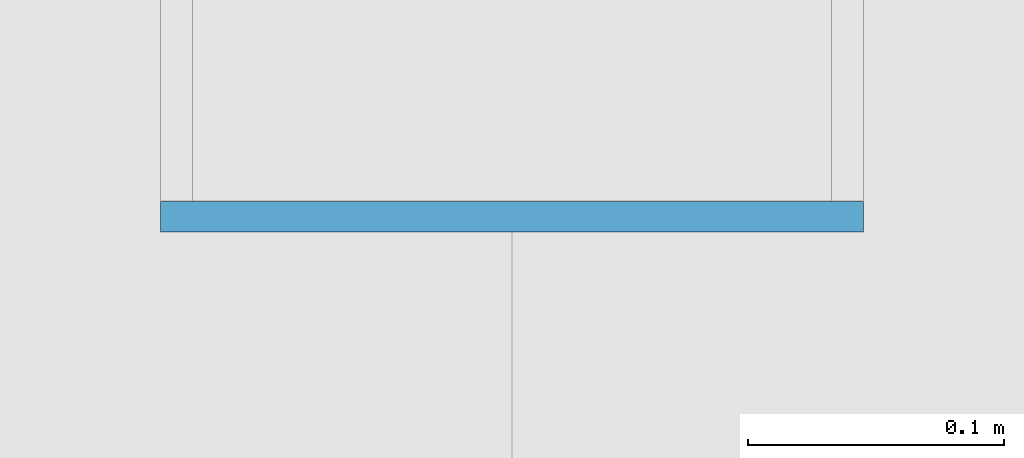
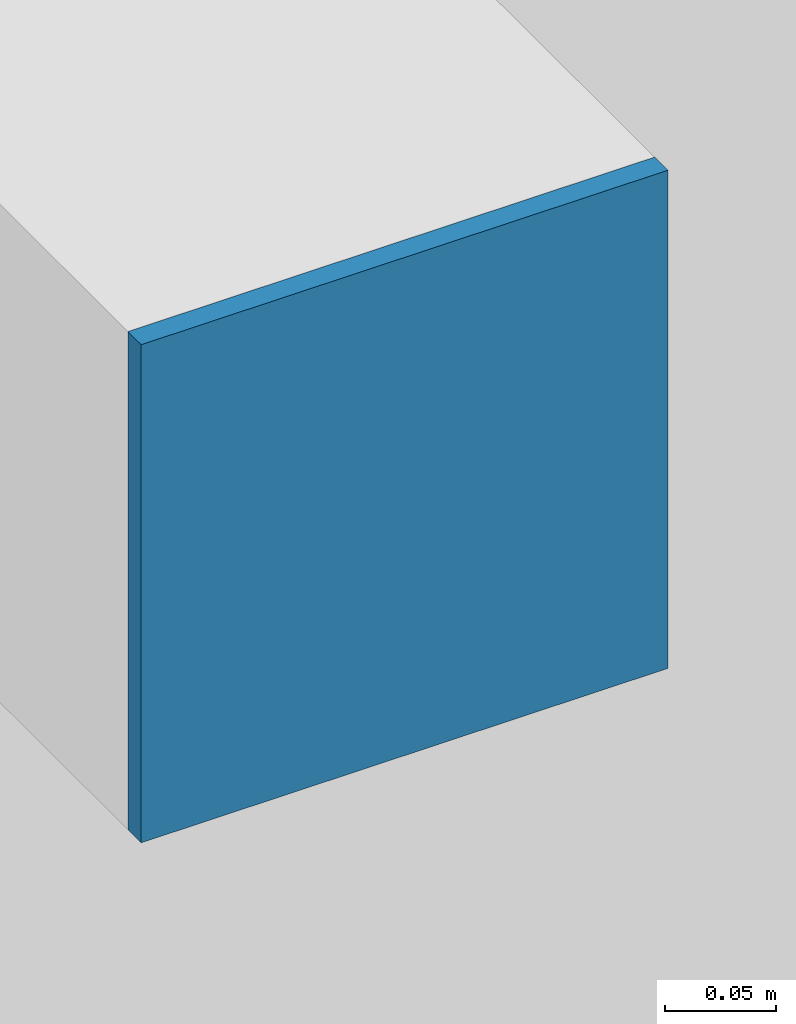
# One storey, part 45 of 59: 1 plate.
"""IFC4 building model written with IfcOpenShell, lengths in metres."""

from ifc_helpers import new_model, si_unit, direction, frame, origin, origin_2d, place, context, subcontext, project, spatial, rectangle, extrude, source, transform, mapped, material, layer, layer_set, type_object, element, save


model = new_model("IFC4")

# Units and contexts
model_context = context("Model", 3, precision=1e-05, world=origin(), true_north=direction((0.0, 1.0)))
body_context = subcontext(model_context, "Body", "Model", "MODEL_VIEW")
ifc_project = project(units=[si_unit("LENGTHUNIT", "METRE"), si_unit("AREAUNIT", "SQUARE_METRE"), si_unit("VOLUMEUNIT", "CUBIC_METRE"), si_unit("PLANEANGLEUNIT", "RADIAN"), si_unit("MASSUNIT", "GRAM", prefix="KILO")], contexts=[model_context])

# Site, building, storey
site_placement = place(None, origin())
site = spatial("IfcSite", under=ifc_project, at=site_placement, CompositionType="ELEMENT")
building_placement = place(site_placement, origin())
building = spatial("IfcBuilding", under=site, at=building_placement, Name="Taldren Reach Tower", CompositionType="ELEMENT")
storey_placement = place(building_placement, frame((0.0, 0.0, 23.10009765625)))
storey = spatial("IfcBuildingStorey", under=building, at=storey_placement, Name="L06", CompositionType="ELEMENT", Elevation=23.10009765625)

# Plate
ifc_material = material(Name="Steel Gr 450 (C450L0)", Category="steel")
ifc_layer = layer(ifc_material, 0.011962890625)
ifc_layer_set = layer_set([ifc_layer], Name="Steel Gr 450 (C450L0)")
plate_type = type_object("IfcPlateType", Name="PL-CAP-275", PredefinedType="SHEET", material=ifc_layer_set)
shared_shape = source(origin(), body_context, "Body", "SweptSolid", [
    extrude(rectangle(XDim=0.27490234375, YDim=0.011962890625, at=origin_2d()), origin(), (0.0, 0.0, 1.0), 0.27490234375),
])
plate_placement = place(storey_placement, frame((29.760009765625, 0.593994140625, 2.512451171875), z_axis=(0.0, 0.0, 1.0), x_axis=(1.0, 0.0, 0.0)))
element("IfcPlate", 1, at=plate_placement, inside=storey, type_object=plate_type, Name="Tie strut end cap plate B1-S3 L06", PredefinedType="SHEET", context=body_context, shape_type="MappedRepresentation", body=[
    mapped(shared_shape, transform((0.0, 0.0, 0.0), scale=1.0)),
])

save(model, "model.ifc")
